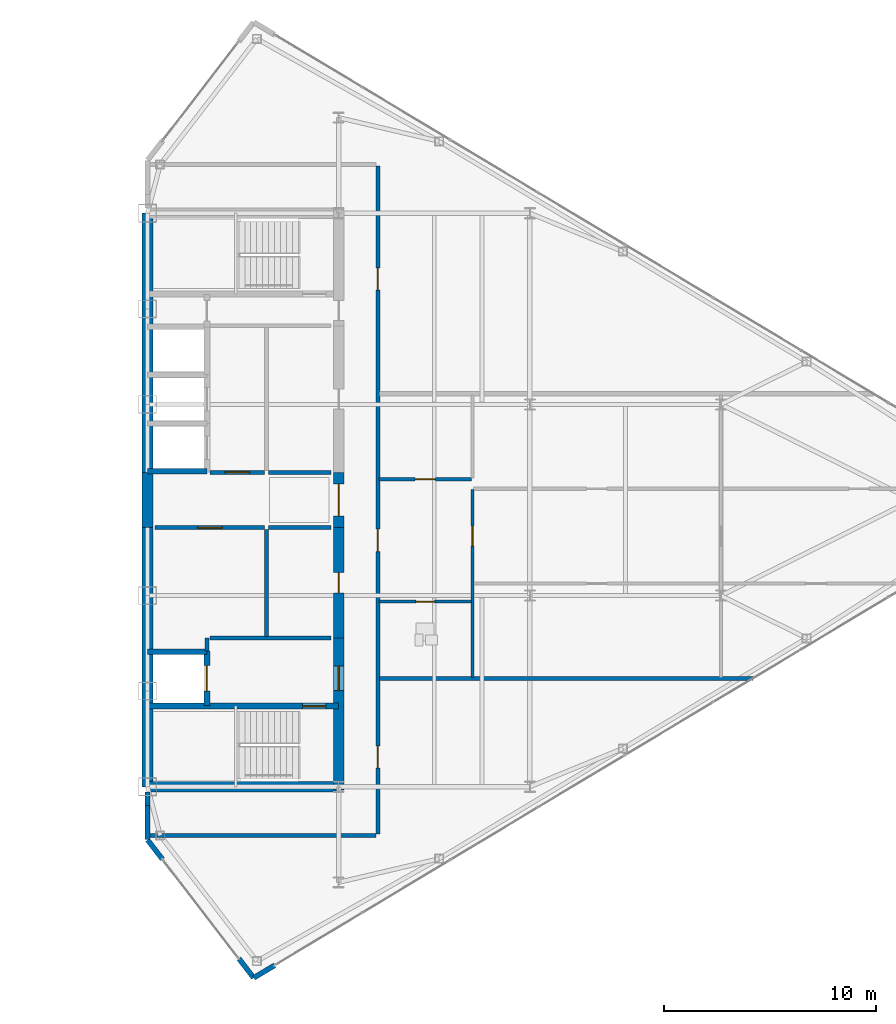
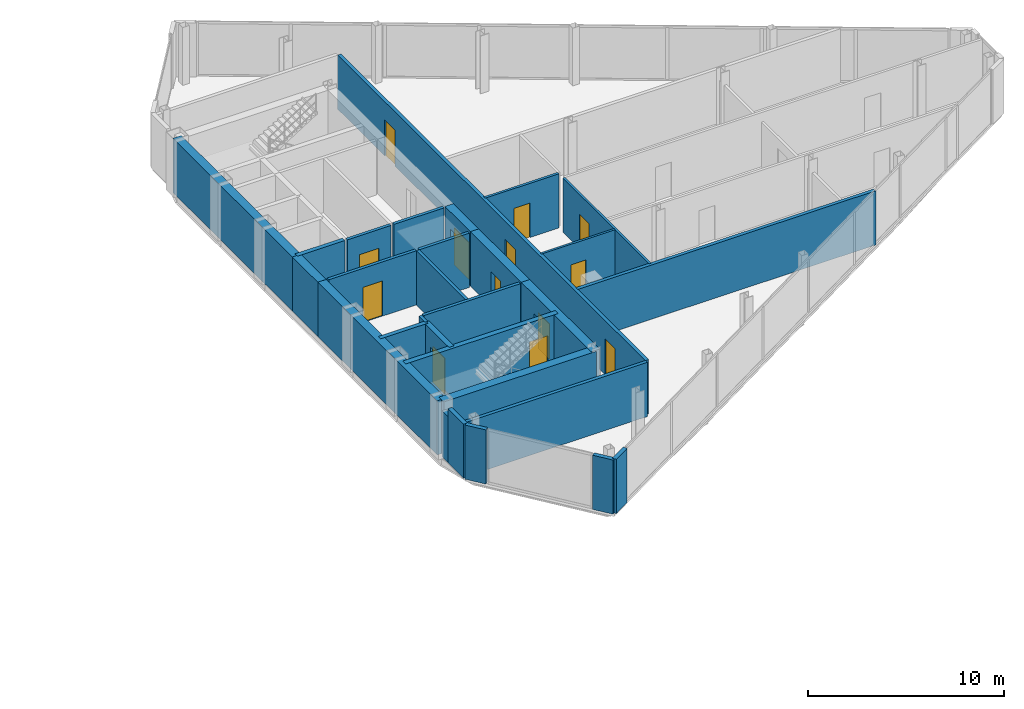
# One storey, part 21 of 25: 29 walls, 13 doors, 13 openings.
"""IFC4 building model written with IfcOpenShell, lengths in metres."""

from ifc_helpers import new_model, si_unit, direction, frame, frame_2d, origin, place, context, subcontext, project, spatial, rectangle, extrude, source, transform, mapped, material, layer, layer_set, type_object, type_shapes, element, fill, save


model = new_model("IFC4")

# Units and contexts
model_context = context("Model", 3, precision=1e-05, world=origin(), true_north=direction((0.0, 1.0)))
body_context = subcontext(model_context, "Body", "Model", "MODEL_VIEW")
ifc_project = project(units=[si_unit("LENGTHUNIT", "METRE"), si_unit("AREAUNIT", "SQUARE_METRE"), si_unit("VOLUMEUNIT", "CUBIC_METRE"), si_unit("PLANEANGLEUNIT", "RADIAN"), si_unit("MASSUNIT", "GRAM", prefix="KILO")], contexts=[model_context])

# Site, building, storey
site_placement = place(None, origin())
site = spatial("IfcSite", under=ifc_project, at=site_placement, CompositionType="ELEMENT")
building_placement = place(site_placement, origin())
building = spatial("IfcBuilding", under=site, at=building_placement, Name="Seokmaru Belvedere", CompositionType="ELEMENT")
storey_placement = place(building_placement, frame((0.0, 0.0, 213.89990234375)))
storey = spatial("IfcBuildingStorey", under=building, at=storey_placement, Name="L57", CompositionType="ELEMENT", Elevation=213.89990234375)

# Wall, opening, door
ifc_material_1 = material(Name="Fire-Rated Gypsum Shaftwall")
ifc_layer_1 = layer(ifc_material_1, 0.14990234375)
ifc_layer_set_1 = layer_set([ifc_layer_1], Name="Fire-Rated Gypsum Shaftwall")
wall_type_1 = type_object("IfcWallType", Name="Apartment Fire-Acoustic Room Partition 150", PredefinedType="PARTITIONING", material=ifc_layer_set_1)
wall_1_placement = place(storey_placement, frame((38.39990234375, 0.97998046875, 0.0), z_axis=(0.0, 0.0, 1.0), x_axis=(1.0, 0.0, 0.0)))
wall_1 = element("IfcWall", 1, at=wall_1_placement, inside=storey, type_object=wall_type_1, Name="L57 Interior Partition 010", PredefinedType="PARTITIONING", context=body_context, shape_type="SweptSolid", body=[
    extrude(rectangle(XDim=4.35009765625, YDim=0.14990234375, at=frame_2d((2.175048828125, 0.0))), origin(), (0.0, 0.0, 1.0), 3.380126953125),
])
opening_1_placement = place(wall_1_placement, frame((1.699951171875, 0.0, 0.0)))
opening_1 = element("IfcOpeningElement", 2, at=opening_1_placement, cuts=wall_1, Name="Opening D05", PredefinedType="OPENING", context=body_context, shape_type="SweptSolid", body=[
    extrude(rectangle(XDim=0.949951171875, YDim=2.14990234375, at=frame_2d((0.47509765625, 1.074951171875))), frame((0.0, 0.0849609375, 0.0), z_axis=(0.0, -1.0, 0.0), x_axis=(1.0, 0.0, 0.0)), (0.0, 0.0, 1.0), 0.169921875),
])
ifc_material_2 = material(Name="Engineered White Oak Timber", Category="wood")
door_type_1 = type_object("IfcDoorType", Name="Apartment Interior Fire-Rated Oak Door 950x2150", OperationType="NOTDEFINED", PredefinedType="DOOR", material=ifc_material_2)
shared_shape_1 = source(origin(), body_context, "Body", "SweptSolid", [
    extrude(rectangle(XDim=0.949951171875, YDim=2.14990234375, at=frame_2d((0.47509765625, 1.074951171875))), frame((0.0, 0.02490234375, 0.0), z_axis=(0.0, -1.0, 0.0), x_axis=(1.0, 0.0, 0.0)), (0.0, 0.0, 1.0), 0.050048828125),
])
type_shapes(door_type_1, [shared_shape_1])
door_1_placement = place(opening_1_placement, origin())
door_1 = element("IfcDoor", 3, at=door_1_placement, inside=storey, type_object=door_type_1, Name="L57 Interior Door 020", OperationType="SINGLE_SWING_RIGHT", OverallHeight=2.14990234375, OverallWidth=0.949951171875, PredefinedType="DOOR", context=body_context, shape_type="MappedRepresentation", body=[
    mapped(shared_shape_1, transform((0.0, 0.0, 0.0), scale=1.0)),
])
fill(opening_1, door_1)

# Walls
ifc_layer_2 = layer(ifc_material_1, 0.179931640625)
ifc_layer_set_2 = layer_set([ifc_layer_2], Name="Fire-Rated Gypsum Shaftwall")
wall_type_2 = type_object("IfcWallType", Name="Core Service Fire Partition 180", PredefinedType="PARTITIONING", material=ifc_layer_set_2)
wall_2_placement = place(storey_placement, frame((30.449951171875, -6.5, 0.0), z_axis=(0.0, 0.0, 1.0), x_axis=(1.0, 0.0, 0.0)))
element("IfcWall", 4, at=wall_2_placement, inside=storey, type_object=wall_type_2, Name="L57 East Firefighting Lobby Partition", PredefinedType="PARTITIONING", context=body_context, shape_type="SweptSolid", body=[
    extrude(rectangle(XDim=5.699951171875, YDim=0.179931640625, at=frame_2d((2.85009765625, 0.0))), origin(), (0.0, 0.0, 1.0), 3.380126953125),
])
wall_3_placement = place(storey_placement, frame((30.300048828125, -7.1201171875, 0.0), z_axis=(0.0, 0.0, 1.0), x_axis=(0.0, 1.0, 0.0)))
element("IfcWall", 5, at=wall_3_placement, inside=storey, type_object=wall_type_2, Name="L57 East Firefighting Lobby East Closure Wall", PredefinedType="PARTITIONING", context=body_context, shape_type="SweptSolid", body=[
    extrude(rectangle(XDim=0.6201171875, YDim=0.179931640625, at=frame_2d((0.31005859375, 0.0))), origin(), (0.0, 0.0, 1.0), 3.380126953125),
])
wall_4_placement = place(storey_placement, frame((33.10009765625, -6.419921875, 0.0), z_axis=(0.0, 0.0, 1.0), x_axis=(0.0, 1.0, 0.0)))
element("IfcWall", 6, at=wall_4_placement, inside=storey, type_object=wall_type_2, Name="L57 East South Core Service Back Wall", PredefinedType="PARTITIONING", context=body_context, shape_type="SweptSolid", body=[
    extrude(rectangle(XDim=5.0400390625, YDim=0.179931640625, at=frame_2d((2.52001953125, 0.0))), origin(), (0.0, 0.0, 1.0), 3.380126953125),
])

# Wall, opening, door
wall_5_placement = place(storey_placement, frame((27.85009765625, -1.300048828125, 0.0), z_axis=(0.0, 0.0, 1.0), x_axis=(1.0, 0.0, 0.0)))
wall_5 = element("IfcWall", 7, at=wall_5_placement, inside=storey, type_object=wall_type_2, Name="L57 East South Lift Lobby Foyer Wall", PredefinedType="PARTITIONING", context=body_context, shape_type="SweptSolid", body=[
    extrude(rectangle(XDim=5.169921875, YDim=0.179931640625, at=frame_2d((2.5849609375, 0.0))), origin(), (0.0, 0.0, 1.0), 3.380126953125),
])
opening_2_placement = place(wall_5_placement, frame((2.010009765625, 0.0, 0.0)))
opening_2 = element("IfcOpeningElement", 8, at=opening_2_placement, cuts=wall_5, Name="Opening D02", PredefinedType="OPENING", context=body_context, shape_type="SweptSolid", body=[
    extrude(rectangle(XDim=1.14990234375, YDim=2.199951171875, at=frame_2d((0.574951171875, 1.10009765625))), frame((0.0, 0.10009765625, 0.0), z_axis=(0.0, -1.0, 0.0), x_axis=(1.0, 0.0, 0.0)), (0.0, 0.0, 1.0), 0.199951171875),
])
ifc_material_3 = material(Name="Fire-Rated Steel Leaf", Category="steel")
door_type_2 = type_object("IfcDoorType", Name="Lobby and Vestibule Fire Door 1150x2200", OperationType="NOTDEFINED", PredefinedType="DOOR", material=ifc_material_3)
shared_shape_2 = source(origin(), body_context, "Body", "SweptSolid", [
    extrude(rectangle(XDim=1.14990234375, YDim=2.199951171875, at=frame_2d((0.574951171875, 1.10009765625))), frame((0.0, 0.02490234375, 0.0), z_axis=(0.0, -1.0, 0.0), x_axis=(1.0, 0.0, 0.0)), (0.0, 0.0, 1.0), 0.050048828125),
])
type_shapes(door_type_2, [shared_shape_2])
door_2_placement = place(opening_2_placement, origin())
door_2 = element("IfcDoor", 9, at=door_2_placement, inside=storey, type_object=door_type_2, Name="L57 East South Core Foyer Door", OperationType="SINGLE_SWING_RIGHT", OverallHeight=2.199951171875, OverallWidth=1.14990234375, PredefinedType="DOOR", context=body_context, shape_type="MappedRepresentation", body=[
    mapped(shared_shape_2, transform((0.0, 0.0, 0.0), scale=1.0)),
])
fill(opening_2, door_2)

wall_6_placement = place(storey_placement, frame((30.449951171875, 1.300048828125, 0.0), z_axis=(0.0, 0.0, 1.0), x_axis=(1.0, 0.0, 0.0)))
wall_6 = element("IfcWall", 10, at=wall_6_placement, inside=storey, type_object=wall_type_2, Name="L57 East North Lift Lobby Foyer Wall", PredefinedType="PARTITIONING", context=body_context, shape_type="SweptSolid", body=[
    extrude(rectangle(XDim=2.570068359375, YDim=0.179931640625, at=frame_2d((1.28515625, 0.0))), origin(), (0.0, 0.0, 1.0), 3.380126953125),
])
opening_3_placement = place(wall_6_placement, frame((0.7099609375, 0.0, 0.0)))
opening_3 = element("IfcOpeningElement", 11, at=opening_3_placement, cuts=wall_6, Name="Opening D02", PredefinedType="OPENING", context=body_context, shape_type="SweptSolid", body=[
    extrude(rectangle(XDim=1.14990234375, YDim=2.199951171875, at=frame_2d((0.574951171875, 1.10009765625))), frame((0.0, 0.10009765625, 0.0), z_axis=(0.0, -1.0, 0.0), x_axis=(1.0, 0.0, 0.0)), (0.0, 0.0, 1.0), 0.199951171875),
])
door_3_placement = place(opening_3_placement, origin())
door_3 = element("IfcDoor", 12, at=door_3_placement, inside=storey, type_object=door_type_2, Name="L57 East North Lift Lobby Door", OperationType="SINGLE_SWING_LEFT", OverallHeight=2.199951171875, OverallWidth=1.14990234375, PredefinedType="DOOR", context=body_context, shape_type="MappedRepresentation", body=[
    mapped(shared_shape_2, transform((0.0, 0.0, 0.0), scale=1.0)),
])
fill(opening_3, door_3)

# Walls
for number, where, z_axis, x_axis, name in (
    (13, (33.199951171875, -1.300048828125, 0.0), (0.0, 0.0, 1.0), (1.0, 0.0, 0.0), "L57 East Foyer Side Wall S"),
    (14, (33.199951171875, 1.300048828125, 0.0), (0.0, 0.0, 1.0), (1.0, 0.0, 0.0), "L57 East Foyer Side Wall N"),
):
    element("IfcWall", number, at=place(storey_placement, frame(where, z_axis=z_axis, x_axis=x_axis)), inside=storey, type_object=wall_type_2, Name=name, PredefinedType="PARTITIONING", context=body_context, shape_type="SweptSolid", body=[
        extrude(rectangle(XDim=2.949951171875, YDim=0.179931640625, at=frame_2d((1.47509765625, 0.0))), origin(), (0.0, 0.0, 1.0), 3.380126953125),
    ])
ifc_material_4 = material(Name="Concrete C50 (50 MPa)", Category="concrete")
ifc_layer_3 = layer(ifc_material_4, 0.25)
ifc_layer_set_3 = layer_set([ifc_layer_3], Name="Concrete C50 (50 MPa)")
wall_type_3 = type_object("IfcWallType", Name="Hoistway Transverse Concrete Divider Wall 250", PredefinedType="SHEAR", material=ifc_layer_set_3)
for number, where, z_axis, x_axis, name in (
    (15, (27.5, -7.14990234375, 0.0), (0.0, 0.0, 1.0), (1.0, 0.0, 0.0), "L57 East Hoistway Divider Core Wall 1"),
    (16, (27.5, 1.35009765625, 0.0), (0.0, 0.0, 1.0), (1.0, 0.0, 0.0), "L57 East Hoistway Divider Core Wall 2"),
):
    element("IfcWall", number, at=place(storey_placement, frame(where, z_axis=z_axis, x_axis=x_axis)), inside=storey, type_object=wall_type_3, Name=name, PredefinedType="SHEAR", context=body_context, shape_type="SweptSolid", body=[
        extrude(rectangle(XDim=2.800048828125, YDim=0.25, at=frame_2d((1.39990234375, 0.0))), origin(), (0.0, 0.0, 1.0), 3.380126953125),
    ])
ifc_layer_4 = layer(ifc_material_1, 0.199951171875)
ifc_layer_set_4 = layer_set([ifc_layer_4], Name="Fire-Rated Gypsum Shaftwall")
wall_type_4 = type_object("IfcWallType", Name="Inter-Tenancy Fire Compartment Partition 200", PredefinedType="PARTITIONING", material=ifc_layer_set_4)
wall_7_placement = place(storey_placement, frame((27.625, -15.800048828125, 0.0), z_axis=(0.0, 0.0, 1.0), x_axis=(1.0, 0.0, 0.0)))
element("IfcWall", 17, at=wall_7_placement, inside=storey, type_object=wall_type_4, Name="L57 Interior Partition 002", PredefinedType="PARTITIONING", context=body_context, shape_type="SweptSolid", body=[
    extrude(rectangle(XDim=10.639892578125, YDim=0.199951171875, at=frame_2d((5.31982421875, 0.0))), origin(), (0.0, 0.0, 1.0), 3.380126953125),
])
wall_8_placement = place(storey_placement, frame((38.429931640625, -8.39990234375, 0.0), z_axis=(0.0, 0.0, 1.0), x_axis=(1.0, 0.0, 0.0)))
element("IfcWall", 18, at=wall_8_placement, inside=storey, type_object=wall_type_4, Name="L57 Interior Partition 003", PredefinedType="PARTITIONING", context=body_context, shape_type="SweptSolid", body=[
    extrude(rectangle(XDim=17.580078125, YDim=0.199951171875, at=frame_2d((8.7900390625, 0.0))), origin(), (0.0, 0.0, 1.0), 3.380126953125),
])

# Wall, openings, doors
wall_9_placement = place(storey_placement, frame((38.35009765625, -15.715087890625, 0.0), z_axis=(0.0, 0.0, 1.0), x_axis=(0.0, 1.0, 0.0)))
wall_9 = element("IfcWall", 19, at=wall_9_placement, inside=storey, type_object=wall_type_4, Name="L57 Interior Partition 027", PredefinedType="PARTITIONING", context=body_context, shape_type="SweptSolid", body=[
    extrude(rectangle(XDim=31.43017578125, YDim=0.199951171875, at=frame_2d((15.715087890625, 0.0))), origin(), (0.0, 0.0, 1.0), 3.380126953125),
])
opening_4_placement = place(wall_9_placement, frame((3.090087890625, 0.0, 0.0)))
opening_4 = element("IfcOpeningElement", 20, at=opening_4_placement, cuts=wall_9, Name="Opening D03", PredefinedType="OPENING", context=body_context, shape_type="SweptSolid", body=[
    extrude(rectangle(XDim=1.050048828125, YDim=2.25, at=frame_2d((0.52490234375, 1.125))), frame((0.0, 0.10986328125, 0.0), z_axis=(0.0, -1.0, 0.0), x_axis=(1.0, 0.0, 0.0)), (0.0, 0.0, 1.0), 0.219970703125),
])
opening_5_placement = place(wall_9_placement, frame((13.2890625, 0.0, 0.0)))
opening_5 = element("IfcOpeningElement", 21, at=opening_5_placement, cuts=wall_9, Name="Opening D03", PredefinedType="OPENING", context=body_context, shape_type="SweptSolid", body=[
    extrude(rectangle(XDim=1.050048828125, YDim=2.25, at=frame_2d((0.52490234375, 1.125))), frame((0.0, 0.10986328125, 0.0), z_axis=(0.0, -1.0, 0.0), x_axis=(1.0, 0.0, 0.0)), (0.0, 0.0, 1.0), 0.219970703125),
])
opening_6_placement = place(wall_9_placement, frame((25.590087890625, 0.0, 0.0)))
opening_6 = element("IfcOpeningElement", 22, at=opening_6_placement, cuts=wall_9, Name="Opening D03", PredefinedType="OPENING", context=body_context, shape_type="SweptSolid", body=[
    extrude(rectangle(XDim=1.050048828125, YDim=2.25, at=frame_2d((0.52490234375, 1.125))), frame((0.0, 0.10986328125, 0.0), z_axis=(0.0, -1.0, 0.0), x_axis=(1.0, 0.0, 0.0)), (0.0, 0.0, 1.0), 0.219970703125),
])
door_type_3 = type_object("IfcDoorType", Name="Apartment Entrance Fire Door 1050x2250", OperationType="NOTDEFINED", PredefinedType="DOOR", material=ifc_material_3)
shared_shape_3 = source(origin(), body_context, "Body", "SweptSolid", [
    extrude(rectangle(XDim=1.050048828125, YDim=2.25, at=frame_2d((0.52490234375, 1.125))), frame((0.0, 0.02490234375, 0.0), z_axis=(0.0, -1.0, 0.0), x_axis=(1.0, 0.0, 0.0)), (0.0, 0.0, 1.0), 0.050048828125),
])
type_shapes(door_type_3, [shared_shape_3])
door_4_placement = place(opening_4_placement, origin())
door_4 = element("IfcDoor", 23, at=door_4_placement, inside=storey, type_object=door_type_3, Name="L57 Interior Door 017", OperationType="SINGLE_SWING_LEFT", OverallHeight=2.25, OverallWidth=1.050048828125, PredefinedType="DOOR", context=body_context, shape_type="MappedRepresentation", body=[
    mapped(shared_shape_3, transform((0.0, 0.0, 0.0), scale=1.0)),
])
fill(opening_4, door_4)
door_5_placement = place(opening_5_placement, origin())
door_5 = element("IfcDoor", 24, at=door_5_placement, inside=storey, type_object=door_type_3, Name="L57 Interior Door 018", OperationType="SINGLE_SWING_RIGHT", OverallHeight=2.25, OverallWidth=1.050048828125, PredefinedType="DOOR", context=body_context, shape_type="MappedRepresentation", body=[
    mapped(shared_shape_3, transform((0.0, 0.0, 0.0), scale=1.0)),
])
fill(opening_5, door_5)
door_6_placement = place(opening_6_placement, origin())
door_6 = element("IfcDoor", 25, at=door_6_placement, inside=storey, type_object=door_type_3, Name="L57 Interior Door 027", OperationType="SINGLE_SWING_LEFT", OverallHeight=2.25, OverallWidth=1.050048828125, PredefinedType="DOOR", context=body_context, shape_type="MappedRepresentation", body=[
    mapped(shared_shape_3, transform((0.0, 0.0, 0.0), scale=1.0)),
])
fill(opening_6, door_6)

# Wall, opening, door
ifc_layer_5 = layer(ifc_material_4, 0.300048828125)
ifc_layer_set_5 = layer_set([ifc_layer_5], Name="Concrete C50 (50 MPa)")
wall_type_5 = type_object("IfcWallType", Name="Internal Core Stair and Hoistway Wall 300", PredefinedType="SHEAR", material=ifc_layer_set_5)
wall_10_placement = place(storey_placement, frame((27.5, -9.699951171875, 0.0), z_axis=(0.0, 0.0, 1.0), x_axis=(1.0, 0.0, 0.0)))
wall_10 = element("IfcWall", 26, at=wall_10_placement, inside=storey, type_object=wall_type_5, Name="L57 East Stair ST-1 Enclosure Wall", PredefinedType="SHEAR", context=body_context, shape_type="SweptSolid", body=[
    extrude(rectangle(XDim=9.0, YDim=0.300048828125, at=frame_2d((4.5, 0.0))), origin(), (0.0, 0.0, 1.0), 3.380126953125),
])
opening_7_placement = place(wall_10_placement, frame((7.300048828125, 0.0, 0.0)))
opening_7 = element("IfcOpeningElement", 27, at=opening_7_placement, cuts=wall_10, Name="Opening D01", PredefinedType="OPENING", context=body_context, shape_type="SweptSolid", body=[
    extrude(rectangle(XDim=1.10009765625, YDim=2.199951171875, at=frame_2d((0.550048828125, 1.10009765625))), frame((0.0, 0.16015625, 0.0), z_axis=(0.0, -1.0, 0.0), x_axis=(1.0, 0.0, 0.0)), (0.0, 0.0, 1.0), 0.320068359375),
])
door_type_4 = type_object("IfcDoorType", Name="Special Escape Stair Smokeproof Fire Door 1100x2200", OperationType="NOTDEFINED", PredefinedType="DOOR", material=ifc_material_3)
shared_shape_4 = source(origin(), body_context, "Body", "SweptSolid", [
    extrude(rectangle(XDim=1.10009765625, YDim=2.199951171875, at=frame_2d((0.550048828125, 1.10009765625))), frame((0.0, 0.02490234375, 0.0), z_axis=(0.0, -1.0, 0.0), x_axis=(1.0, 0.0, 0.0)), (0.0, 0.0, 1.0), 0.050048828125),
])
type_shapes(door_type_4, [shared_shape_4])
door_7_placement = place(opening_7_placement, frame((1.10009765625, 0.0, 0.0), z_axis=(0.0, 0.0, 1.0), x_axis=(-1.0, 0.0, 0.0)))
door_7 = element("IfcDoor", 28, at=door_7_placement, inside=storey, type_object=door_type_4, Name="L57 East Special Escape Stair ST-1 Door", OperationType="SINGLE_SWING_RIGHT", OverallHeight=2.199951171875, OverallWidth=1.10009765625, PredefinedType="DOOR", context=body_context, shape_type="MappedRepresentation", body=[
    mapped(shared_shape_4, transform((0.0, 0.0, 0.0), scale=1.0)),
])
fill(opening_7, door_7)

wall_11_placement = place(storey_placement, frame((30.300048828125, -9.679931640625, 0.0), z_axis=(0.0, 0.0, 1.0), x_axis=(0.0, 1.0, 0.0)))
wall_11 = element("IfcWall", 29, at=wall_11_placement, inside=storey, type_object=wall_type_5, Name="L57 East Firefighting Lift Shaft Front Wall", PredefinedType="SHEAR", context=body_context, shape_type="SweptSolid", body=[
    extrude(rectangle(XDim=2.559814453125, YDim=0.300048828125, at=frame_2d((1.27978515625, 0.0))), origin(), (0.0, 0.0, 1.0), 3.380126953125),
])
opening_8_placement = place(wall_11_placement, frame((0.679931640625, 0.0, 0.0)))
opening_8 = element("IfcOpeningElement", 30, at=opening_8_placement, cuts=wall_11, Name="Opening LD2", PredefinedType="OPENING", context=body_context, shape_type="SweptSolid", body=[
    extrude(rectangle(XDim=1.199951171875, YDim=2.25, at=frame_2d((0.60009765625, 1.125))), frame((0.0, 0.16015625, 0.0), z_axis=(0.0, -1.0, 0.0), x_axis=(1.0, 0.0, 0.0)), (0.0, 0.0, 1.0), 0.320068359375),
])
ifc_material_5 = material(Name="Stainless Steel 316", Category="steel")
door_type_5 = type_object("IfcDoorType", Name="Firefighting Lift Sliding Landing Door 1200x2250", OperationType="DOUBLE_DOOR_SLIDING", PredefinedType="DOOR", material=ifc_material_5)
shared_shape_5 = source(origin(), body_context, "Body", "SweptSolid", [
    extrude(rectangle(XDim=1.199951171875, YDim=2.25, at=frame_2d((0.60009765625, 1.125))), frame((0.0, 0.02490234375, 0.0), z_axis=(0.0, -1.0, 0.0), x_axis=(1.0, 0.0, 0.0)), (0.0, 0.0, 1.0), 0.050048828125),
])
type_shapes(door_type_5, [shared_shape_5])
door_8_placement = place(opening_8_placement, origin())
door_8 = element("IfcDoor", 31, at=door_8_placement, inside=storey, type_object=door_type_5, Name="L57 East Firefighting Lift Landing Door", OperationType="DOUBLE_DOOR_SLIDING", OverallHeight=2.25, OverallWidth=1.199951171875, PredefinedType="DOOR", context=body_context, shape_type="MappedRepresentation", body=[
    mapped(shared_shape_5, transform((0.0, 0.0, 0.0), scale=1.0)),
])
fill(opening_8, door_8)

ifc_layer_6 = layer(ifc_material_1, 0.1298828125)
ifc_layer_set_6 = layer_set([ifc_layer_6], Name="Fire-Rated Gypsum Shaftwall")
wall_type_6 = type_object("IfcWallType", Name="Moisture-Resistant Fire-Rated Bathroom Partition 130", PredefinedType="PARTITIONING", material=ifc_layer_set_6)
wall_12_placement = place(storey_placement, frame((38.39990234375, -4.780029296875, 0.0), z_axis=(0.0, 0.0, 1.0), x_axis=(1.0, 0.0, 0.0)))
wall_12 = element("IfcWall", 32, at=wall_12_placement, inside=storey, type_object=wall_type_6, Name="L57 Interior Partition 005", PredefinedType="PARTITIONING", context=body_context, shape_type="SweptSolid", body=[
    extrude(rectangle(XDim=4.35009765625, YDim=0.1298828125, at=frame_2d((2.175048828125, 0.0))), origin(), (0.0, 0.0, 1.0), 3.380126953125),
])
opening_9_placement = place(wall_12_placement, frame((1.735107421875, 0.0, 0.0)))
opening_9 = element("IfcOpeningElement", 33, at=opening_9_placement, cuts=wall_12, Name="Opening D06", PredefinedType="OPENING", context=body_context, shape_type="SweptSolid", body=[
    extrude(rectangle(XDim=0.8798828125, YDim=2.10009765625, at=frame_2d((0.43994140625, 1.050048828125))), frame((0.0, 0.074951171875, 0.0), z_axis=(0.0, -1.0, 0.0), x_axis=(1.0, 0.0, 0.0)), (0.0, 0.0, 1.0), 0.14990234375),
])
door_type_6 = type_object("IfcDoorType", Name="Bathroom and Restroom Fire-Rated Door 880x2100", OperationType="NOTDEFINED", PredefinedType="DOOR", material=ifc_material_2)
shared_shape_6 = source(origin(), body_context, "Body", "SweptSolid", [
    extrude(rectangle(XDim=0.8798828125, YDim=2.10009765625, at=frame_2d((0.43994140625, 1.050048828125))), frame((0.0, 0.02490234375, 0.0), z_axis=(0.0, -1.0, 0.0), x_axis=(1.0, 0.0, 0.0)), (0.0, 0.0, 1.0), 0.050048828125),
])
type_shapes(door_type_6, [shared_shape_6])
door_9_placement = place(opening_9_placement, origin())
door_9 = element("IfcDoor", 34, at=door_9_placement, inside=storey, type_object=door_type_6, Name="L57 Interior Door 019", OperationType="SINGLE_SWING_RIGHT", OverallHeight=2.10009765625, OverallWidth=0.8798828125, PredefinedType="DOOR", context=body_context, shape_type="MappedRepresentation", body=[
    mapped(shared_shape_6, transform((0.0, 0.0, 0.0), scale=1.0)),
])
fill(opening_9, door_9)

wall_13_placement = place(storey_placement, frame((42.800048828125, -8.35009765625, 0.0), z_axis=(0.0, 0.0, 1.0), x_axis=(0.0, 1.0, 0.0)))
wall_13 = element("IfcWall", 35, at=wall_13_placement, inside=storey, type_object=wall_type_6, Name="L57 Interior Partition 028", PredefinedType="PARTITIONING", context=body_context, shape_type="SweptSolid", body=[
    extrude(rectangle(XDim=8.8330078125, YDim=0.1298828125, at=frame_2d((4.41650390625, 0.0))), origin(), (0.0, 0.0, 1.0), 3.380126953125),
])
opening_10_placement = place(wall_13_placement, frame((6.175048828125, 0.0, 0.0)))
opening_10 = element("IfcOpeningElement", 36, at=opening_10_placement, cuts=wall_13, Name="Opening D05", PredefinedType="OPENING", context=body_context, shape_type="SweptSolid", body=[
    extrude(rectangle(XDim=0.949951171875, YDim=2.14990234375, at=frame_2d((0.47509765625, 1.074951171875))), frame((0.0, 0.074951171875, 0.0), z_axis=(0.0, -1.0, 0.0), x_axis=(1.0, 0.0, 0.0)), (0.0, 0.0, 1.0), 0.14990234375),
])
door_10_placement = place(opening_10_placement, origin())
door_10 = element("IfcDoor", 37, at=door_10_placement, inside=storey, type_object=door_type_1, Name="L57 Interior Door 021", OperationType="SINGLE_SWING_LEFT", OverallHeight=2.14990234375, OverallWidth=0.949951171875, PredefinedType="DOOR", context=body_context, shape_type="MappedRepresentation", body=[
    mapped(shared_shape_1, transform((0.0, 0.0, 0.0), scale=1.0)),
])
fill(opening_10, door_10)

# Walls
ifc_material_6 = material(Name="Anodised Bronze Aluminium", Category="aluminium")
ifc_layer_7 = layer(ifc_material_6, 0.239990234375)
ifc_layer_set_7 = layer_set([ifc_layer_7], Name="Anodised Bronze Aluminium")
wall_type_7 = type_object("IfcWallType", Name="Tower Corner Spandrel Closure Wall 240", PredefinedType="SOLIDWALL", material=ifc_layer_set_7)
wall_14_placement = place(storey_placement, frame((32.508544921875, -22.494873046875, 0.0), z_axis=(0.0, 0.0, 1.0), x_axis=(0.85743623509, 0.514590228002, 0.0)))
element("IfcWall", 38, at=wall_14_placement, inside=storey, type_object=wall_type_7, Name="L57 E Corner Closure Pier 1A", PredefinedType="SOLIDWALL", context=body_context, shape_type="SweptSolid", body=[
    extrude(rectangle(XDim=1.14013671875, YDim=0.239990234375, at=frame_2d((0.570068359375, 0.0))), origin(), (0.0, 0.0, 1.0), 3.380126953125),
])
wall_15_placement = place(storey_placement, frame((27.5, -15.97998046875, 0.0), z_axis=(0.0, 0.0, 1.0), x_axis=(0.0, 1.0, 0.0)))
element("IfcWall", 39, at=wall_15_placement, inside=storey, type_object=wall_type_7, Name="L57 E Shoulder Closure Wall 1", PredefinedType="SOLIDWALL", context=body_context, shape_type="SweptSolid", body=[
    extrude(rectangle(XDim=1.605224609375, YDim=0.239990234375, at=frame_2d((0.802734375, 0.0))), origin(), (0.0, 0.0, 1.0), 3.380126953125),
])
wall_16_placement = place(storey_placement, frame((27.5, -14.374755859375, 0.0), z_axis=(0.0, 0.0, 1.0), x_axis=(0.0, 1.0, 0.0)))
element("IfcWall", 40, at=wall_16_placement, inside=storey, type_object=wall_type_7, Name="L57 E Shoulder Closure Wall 1 Part 2", PredefinedType="SOLIDWALL", context=body_context, shape_type="SweptSolid", body=[
    extrude(rectangle(XDim=0.619873046875, YDim=0.239990234375, at=frame_2d((0.31005859375, 0.0))), origin(), (0.0, 0.0, 1.0), 2.880126953125),
])
for number, where, z_axis, x_axis, name in (
    (41, (27.506103515625, -16.0078125, 0.0), (0.0, 0.0, 1.0), (0.609617623633, -0.792695624408, 0.0), "L57 E Corner Closure Pier 6A"),
    (42, (31.798828125, -21.58837890625, 0.0), (0.0, 0.0, 1.0), (0.609617623633, -0.792695624408, 0.0), "L57 E Corner Closure Pier 6B"),
):
    element("IfcWall", number, at=place(storey_placement, frame(where, z_axis=z_axis, x_axis=x_axis)), inside=storey, type_object=wall_type_7, Name=name, PredefinedType="SOLIDWALL", context=body_context, shape_type="SweptSolid", body=[
        extrude(rectangle(XDim=1.14013671875, YDim=0.239990234375, at=frame_2d((0.570068359375, 0.0))), origin(), (0.0, 0.0, 1.0), 3.380126953125),
    ])
ifc_layer_8 = layer(ifc_material_4, 0.5)
ifc_layer_set_8 = layer_set([ifc_layer_8], Name="Concrete C50 (50 MPa)")
wall_type_8 = type_object("IfcWallType", Name="Upper Tower Reinforced Concrete Core Wall 500", PredefinedType="SHEAR", material=ifc_layer_set_8)
for number, where, z_axis, x_axis, name in (
    (43, (27.5, -13.5, 0.0), (0.0, 0.0, 1.0), (0.0, 1.0, 0.0), "L57 East Portal Spine Core Wall South"),
    (44, (27.5, 1.300048828125, 0.0), (0.0, 0.0, 1.0), (0.0, 1.0, 0.0), "L57 East Portal Spine Core Wall North"),
):
    element("IfcWall", number, at=place(storey_placement, frame(where, z_axis=z_axis, x_axis=x_axis)), inside=storey, type_object=wall_type_8, Name=name, PredefinedType="SHEAR", context=body_context, shape_type="SweptSolid", body=[
        extrude(rectangle(XDim=12.199951171875, YDim=0.5, at=frame_2d((6.10009765625, 0.0))), origin(), (0.0, 0.0, 1.0), 3.380126953125),
    ])
wall_17_placement = place(storey_placement, frame((27.5, -1.300048828125, 0.0), z_axis=(0.0, 0.0, 1.0), x_axis=(0.0, 1.0, 0.0)))
element("IfcWall", 45, at=wall_17_placement, inside=storey, type_object=wall_type_8, Name="L57 East Portal Spine Core Wall Center", PredefinedType="SHEAR", context=body_context, shape_type="SweptSolid", body=[
    extrude(rectangle(XDim=2.60009765625, YDim=0.5, at=frame_2d((1.300048828125, 0.0))), origin(), (0.0, 0.0, 1.0), 3.380126953125),
])
wall_18_placement = place(storey_placement, frame((27.5, -13.5, 0.0), z_axis=(0.0, 0.0, 1.0), x_axis=(1.0, 0.0, 0.0)))
element("IfcWall", 46, at=wall_18_placement, inside=storey, type_object=wall_type_8, Name="L57 East South Core Wall", PredefinedType="SHEAR", context=body_context, shape_type="SweptSolid", body=[
    extrude(rectangle(XDim=9.0, YDim=0.5, at=frame_2d((4.5, 0.0))), origin(), (0.0, 0.0, 1.0), 3.380126953125),
])

# Wall, opening, door
wall_19_placement = place(storey_placement, frame((36.5, -13.64990234375, 0.0), z_axis=(0.0, 0.0, 1.0), x_axis=(0.0, 1.0, 0.0)))
wall_19 = element("IfcWall", 47, at=wall_19_placement, inside=storey, type_object=wall_type_8, Name="L57 East West Core Wall FF", PredefinedType="SHEAR", context=body_context, shape_type="SweptSolid", body=[
    extrude(rectangle(XDim=7.14990234375, YDim=0.5, at=frame_2d((3.574951171875, 0.0))), origin(), (0.0, 0.0, 1.0), 3.380126953125),
])
opening_11_placement = place(wall_19_placement, frame((4.675048828125, 0.0, 0.0)))
opening_11 = element("IfcOpeningElement", 48, at=opening_11_placement, cuts=wall_19, Name="Opening D02", PredefinedType="OPENING", context=body_context, shape_type="SweptSolid", body=[
    extrude(rectangle(XDim=1.14990234375, YDim=2.199951171875, at=frame_2d((0.574951171875, 1.10009765625))), frame((0.0, 0.260009765625, 0.0), z_axis=(0.0, -1.0, 0.0), x_axis=(1.0, 0.0, 0.0)), (0.0, 0.0, 1.0), 0.52001953125),
])
door_11_placement = place(opening_11_placement, origin())
door_11 = element("IfcDoor", 49, at=door_11_placement, inside=storey, type_object=door_type_2, Name="L57 East Firefighting Lobby Door", OperationType="SINGLE_SWING_RIGHT", OverallHeight=2.199951171875, OverallWidth=1.14990234375, PredefinedType="DOOR", context=body_context, shape_type="MappedRepresentation", body=[
    mapped(shared_shape_2, transform((0.0, 0.0, 0.0), scale=1.0)),
])
fill(opening_11, door_11)

wall_20_placement = place(storey_placement, frame((36.5, -1.300048828125, 0.0), z_axis=(0.0, 0.0, 1.0), x_axis=(0.0, 1.0, 0.0)))
wall_20 = element("IfcWall", 50, at=wall_20_placement, inside=storey, type_object=wall_type_8, Name="L57 East West Core Wall FOY", PredefinedType="SHEAR", context=body_context, shape_type="SweptSolid", body=[
    extrude(rectangle(XDim=2.60009765625, YDim=0.5, at=frame_2d((1.300048828125, 0.0))), origin(), (0.0, 0.0, 1.0), 3.380126953125),
])
opening_12_placement = place(wall_20_placement, frame((0.550048828125, 0.0, 0.0)))
opening_12 = element("IfcOpeningElement", 51, at=opening_12_placement, cuts=wall_20, Name="Opening D08", PredefinedType="OPENING", context=body_context, shape_type="SweptSolid", body=[
    extrude(rectangle(XDim=1.5, YDim=2.300048828125, at=frame_2d((0.75, 1.14990234375))), frame((0.0, 0.260009765625, 0.0), z_axis=(0.0, -1.0, 0.0), x_axis=(1.0, 0.0, 0.0)), (0.0, 0.0, 1.0), 0.52001953125),
])
door_type_7 = type_object("IfcDoorType", Name="Cross-Corridor Compartment Double Fire Door 1500x2300", OperationType="DOUBLE_SWING_LEFT", PredefinedType="DOOR", material=ifc_material_3)
shared_shape_7 = source(origin(), body_context, "Body", "SweptSolid", [
    extrude(rectangle(XDim=1.5, YDim=2.300048828125, at=frame_2d((0.75, 1.14990234375))), frame((0.0, 0.02490234375, 0.0), z_axis=(0.0, -1.0, 0.0), x_axis=(1.0, 0.0, 0.0)), (0.0, 0.0, 1.0), 0.050048828125),
])
type_shapes(door_type_7, [shared_shape_7])
door_12_placement = place(opening_12_placement, origin())
door_12 = element("IfcDoor", 52, at=door_12_placement, inside=storey, type_object=door_type_7, Name="L57 East Core Foyer Compartment Door", OperationType="DOUBLE_SWING_LEFT", OverallHeight=2.300048828125, OverallWidth=1.5, PredefinedType="DOOR", context=body_context, shape_type="MappedRepresentation", body=[
    mapped(shared_shape_7, transform((0.0, 0.0, 0.0), scale=1.0)),
])
fill(opening_12, door_12)

wall_21_placement = place(storey_placement, frame((36.5, -6.5, 0.0), z_axis=(0.0, 0.0, 1.0), x_axis=(0.0, 1.0, 0.0)))
wall_21 = element("IfcWall", 53, at=wall_21_placement, inside=storey, type_object=wall_type_8, Name="L57 East West Core Wall CS1", PredefinedType="SHEAR", context=body_context, shape_type="SweptSolid", body=[
    extrude(rectangle(XDim=5.199951171875, YDim=0.5, at=frame_2d((2.60009765625, 0.0))), origin(), (0.0, 0.0, 1.0), 3.380126953125),
])
opening_13_placement = place(wall_21_placement, frame((2.125, 0.0, 0.0)))
opening_13 = element("IfcOpeningElement", 54, at=opening_13_placement, cuts=wall_21, Name="Opening D04", PredefinedType="OPENING", context=body_context, shape_type="SweptSolid", body=[
    extrude(rectangle(XDim=0.949951171875, YDim=2.14990234375, at=frame_2d((0.47509765625, 1.074951171875))), frame((0.0, 0.260009765625, 0.0), z_axis=(0.0, -1.0, 0.0), x_axis=(1.0, 0.0, 0.0)), (0.0, 0.0, 1.0), 0.52001953125),
])
door_type_8 = type_object("IfcDoorType", Name="Core Service Room Fire Door 950x2150", OperationType="NOTDEFINED", PredefinedType="DOOR", material=ifc_material_3)
shared_shape_8 = source(origin(), body_context, "Body", "SweptSolid", [
    extrude(rectangle(XDim=0.949951171875, YDim=2.14990234375, at=frame_2d((0.47509765625, 1.074951171875))), frame((0.0, 0.02490234375, 0.0), z_axis=(0.0, -1.0, 0.0), x_axis=(1.0, 0.0, 0.0)), (0.0, 0.0, 1.0), 0.050048828125),
])
type_shapes(door_type_8, [shared_shape_8])
door_13_placement = place(opening_13_placement, origin())
door_13 = element("IfcDoor", 55, at=door_13_placement, inside=storey, type_object=door_type_8, Name="L57 East Core Service Room Door 1", OperationType="SINGLE_SWING_RIGHT", OverallHeight=2.14990234375, OverallWidth=0.949951171875, PredefinedType="DOOR", context=body_context, shape_type="MappedRepresentation", body=[
    mapped(shared_shape_8, transform((0.0, 0.0, 0.0), scale=1.0)),
])
fill(opening_13, door_13)

save(model, "model.ifc")
